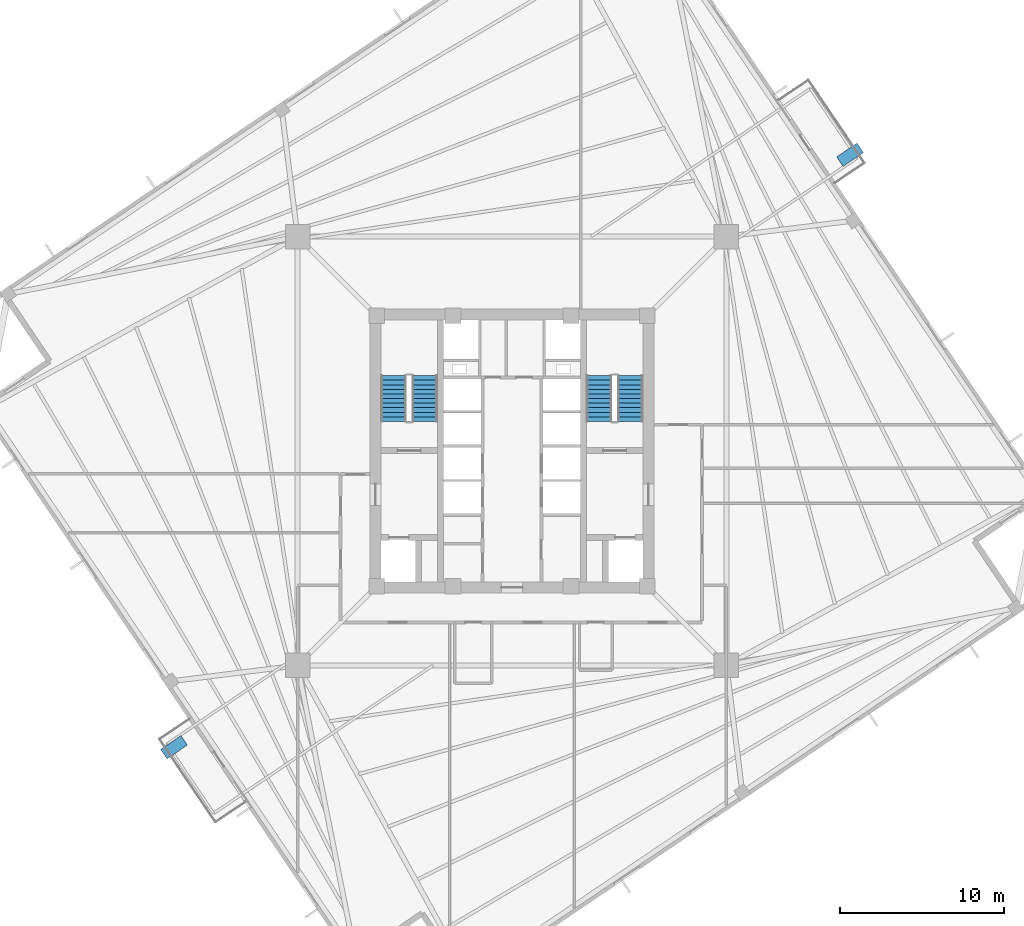
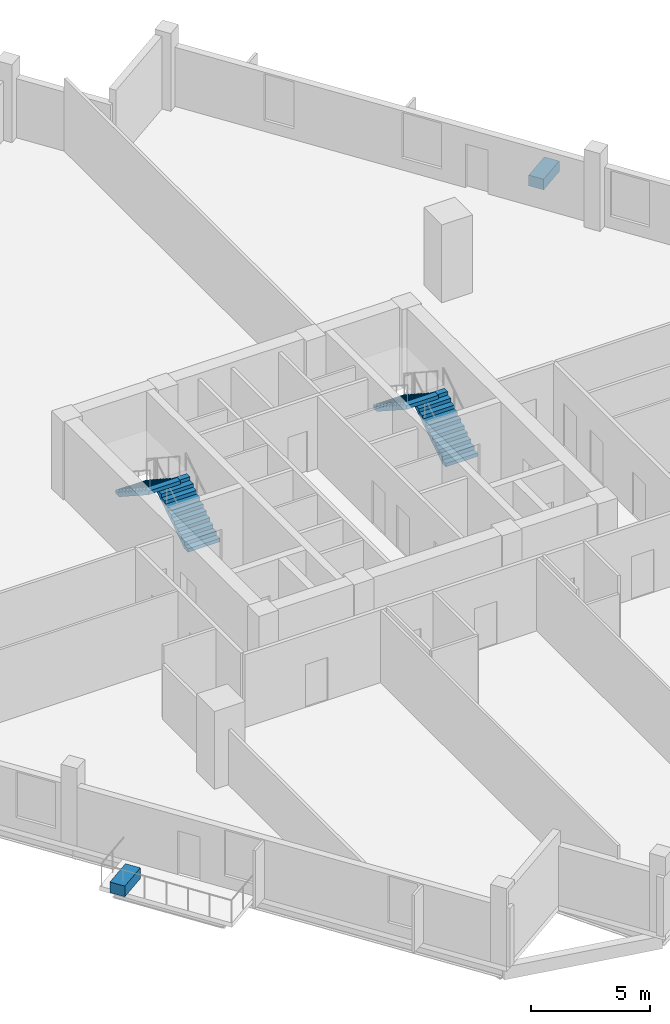
# One storey, part 6 of 9: 4 stair flights, 2 discrete accessories, 2 elements without a shape of their own.
"""IFC4 building model written with IfcOpenShell, lengths in metres."""

from ifc_helpers import new_model, si_unit, direction, frame, origin, origin_2d, place, context, subcontext, project, spatial, polyline, rectangle, outline, extrude, source, transform, mapped, material, type_object, element, aggregate, save


model = new_model("IFC4")

# Units and contexts
model_context = context("Model", 3, precision=1e-05, world=origin(), true_north=direction((0.0, 1.0)))
body_context = subcontext(model_context, "Body", "Model", "MODEL_VIEW")
ifc_project = project(units=[si_unit("LENGTHUNIT", "METRE"), si_unit("AREAUNIT", "SQUARE_METRE"), si_unit("VOLUMEUNIT", "CUBIC_METRE"), si_unit("PLANEANGLEUNIT", "RADIAN"), si_unit("MASSUNIT", "GRAM", prefix="KILO"), si_unit("THERMODYNAMICTEMPERATUREUNIT", "KELVIN")], contexts=[model_context])

# Site, building, storey
site_placement = place(None, origin())
site = spatial("IfcSite", under=ifc_project, at=site_placement, CompositionType="ELEMENT")
building_placement = place(site_placement, origin())
building = spatial("IfcBuilding", under=site, at=building_placement, Name="Kosmvard Interchange Tower", CompositionType="ELEMENT")
storey_placement = place(building_placement, frame((0.0, 0.0, 168.39990234375)))
storey = spatial("IfcBuildingStorey", under=building, at=storey_placement, Name="L40", CompositionType="ELEMENT", Elevation=168.39990234375)

# Stair, stair flights
ifc_material_1 = material(Name="Concrete C50/60", Category="concrete")
stair_type = type_object("IfcStairType", Name="Dog-Leg Core Exit Stair H4000 C50/60", PredefinedType="HALF_TURN_STAIR", material=ifc_material_1)
stair_1_placement = place(storey_placement, origin())
stair_1 = element("IfcStair", 1, at=stair_1_placement, inside=storey, type_object=stair_type, Name="L40 Protected Exit Stair ST-1", PredefinedType="HALF_TURN_STAIR")
stair_flight_type = type_object("IfcStairFlightType", Name="Core Stair Flight W1550 H4000 C50/60", PredefinedType="STRAIGHT", material=ifc_material_1)
shared_shape_1 = source(origin(), body_context, "Body", "SweptSolid", [
    extrude(outline(polyline([(0.0, 0.0), (0.0, 0.181884765625), (0.280029296875, 0.181884765625), (0.280029296875, 0.363525390625), (0.56005859375, 0.363525390625), (0.56005859375, 0.54541015625), (0.840087890625, 0.54541015625), (0.840087890625, 0.727294921875), (1.1201171875, 0.727294921875), (1.1201171875, 0.9091796875), (1.39990234375, 0.9091796875), (1.39990234375, 1.0908203125), (1.679931640625, 1.0908203125), (1.679931640625, 1.272705078125), (1.9599609375, 1.272705078125), (1.9599609375, 1.45458984375), (2.239990234375, 1.45458984375), (2.239990234375, 1.636474609375), (2.52001953125, 1.636474609375), (2.52001953125, 1.818115234375), (2.800048828125, 1.818115234375), (2.800048828125, 2.0), (2.800048828125, 1.62744140625), (0.293701171875, 0.0), (0.0, 0.0)])), frame((0.0, 0.77490234375, 0.0), z_axis=(0.0, -1.0, 0.0), x_axis=(1.0, 0.0, 0.0)), (0.0, 0.0, 1.0), 1.550048828125),
])
stair_flight_1_placement = place(storey_placement, frame((-5.31494140625, 1.800048828125, 0.0), z_axis=(0.0, 0.0, 1.0), x_axis=(0.0, 1.0, 0.0)))
stair_flight_1 = element("IfcStairFlight", 2, at=stair_flight_1_placement, type_object=stair_flight_type, Name="ST-1 flight 1", NumberOfRisers=11, NumberOfTreads=10, PredefinedType="STRAIGHT", RiserHeight=0.181818182, TreadLength=0.28, context=body_context, shape_type="MappedRepresentation", body=[
    mapped(shared_shape_1, transform((0.0, 0.0, 0.0), scale=1.0)),
])
stair_flight_2_placement = place(storey_placement, frame((-7.22509765625, 4.60009765625, 2.0), z_axis=(0.0, 0.0, 1.0), x_axis=(0.0, -1.0, 0.0)))
stair_flight_2 = element("IfcStairFlight", 3, at=stair_flight_2_placement, type_object=stair_flight_type, Name="ST-1 flight 2", NumberOfRisers=11, NumberOfTreads=10, PredefinedType="STRAIGHT", RiserHeight=0.181818182, TreadLength=0.28, context=body_context, shape_type="MappedRepresentation", body=[
    mapped(shared_shape_1, transform((0.0, 0.0, 0.0), scale=1.0)),
])
aggregate(stair_1, [stair_flight_1, stair_flight_2])

stair_2_placement = place(storey_placement, origin())
stair_2 = element("IfcStair", 4, at=stair_2_placement, inside=storey, type_object=stair_type, Name="L40 Protected Exit Stair ST-2", PredefinedType="HALF_TURN_STAIR")
stair_flight_3_placement = place(storey_placement, frame((7.22509765625, 1.800048828125, 0.0), z_axis=(0.0, 0.0, 1.0), x_axis=(0.0, 1.0, 0.0)))
stair_flight_3 = element("IfcStairFlight", 5, at=stair_flight_3_placement, type_object=stair_flight_type, Name="ST-2 flight 1", NumberOfRisers=11, NumberOfTreads=10, PredefinedType="STRAIGHT", RiserHeight=0.181818182, TreadLength=0.28, context=body_context, shape_type="MappedRepresentation", body=[
    mapped(shared_shape_1, transform((0.0, 0.0, 0.0), scale=1.0)),
])
stair_flight_4_placement = place(storey_placement, frame((5.31494140625, 4.60009765625, 2.0), z_axis=(0.0, 0.0, 1.0), x_axis=(0.0, -1.0, 0.0)))
stair_flight_4 = element("IfcStairFlight", 6, at=stair_flight_4_placement, type_object=stair_flight_type, Name="ST-2 flight 2", NumberOfRisers=11, NumberOfTreads=10, PredefinedType="STRAIGHT", RiserHeight=0.181818182, TreadLength=0.28, context=body_context, shape_type="MappedRepresentation", body=[
    mapped(shared_shape_1, transform((0.0, 0.0, 0.0), scale=1.0)),
])
aggregate(stair_2, [stair_flight_3, stair_flight_4])

# Discrete accessories
ifc_material_2 = material(Name="Terracotta precast planter concrete C45/55", Category="masonry")
discrete_accessory_type = type_object("IfcDiscreteAccessoryType", Name="Precast Tree-Balcony & Terrace Planter Box", PredefinedType="USERDEFINED", material=ifc_material_2)
shared_shape_2 = source(origin(), body_context, "Body", "SweptSolid", [
    extrude(rectangle(XDim=1.5, YDim=0.699951171875, at=origin_2d()), origin(), (0.0, 0.0, 1.0), 0.550048828125),
])
for number, where, z_axis, x_axis, name in (
    (7, (20.62060546875, 18.0703125, 0.0), (0.0, 0.0, 1.0), (0.829037572555, 0.559192903471, 0.0), "L40 Balcony Tree Planter BAL-L40-E"),
    (8, (-20.62060546875, -18.0703125, 0.0), (0.0, 0.0, 1.0), (0.829037572555, 0.559192903471, 0.0), "L40 Balcony Tree Planter BAL-L40-W"),
):
    element("IfcDiscreteAccessory", number, at=place(storey_placement, frame(where, z_axis=z_axis, x_axis=x_axis)), inside=storey, type_object=discrete_accessory_type, Name=name, ObjectType="PLANTER", PredefinedType="USERDEFINED", context=body_context, shape_type="MappedRepresentation", body=[
        mapped(shared_shape_2, transform((0.0, 0.0, 0.0), scale=1.0)),
    ])

save(model, "model.ifc")
